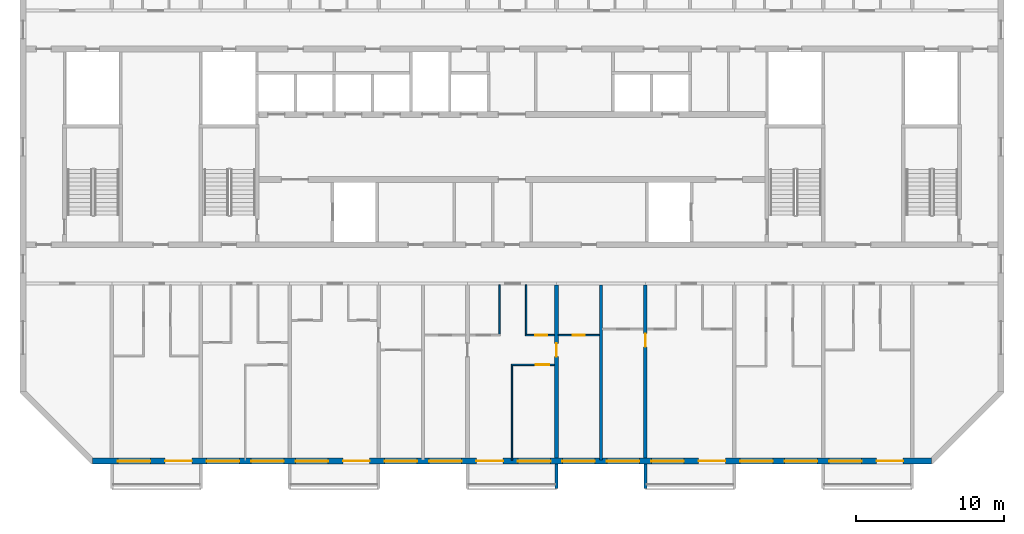
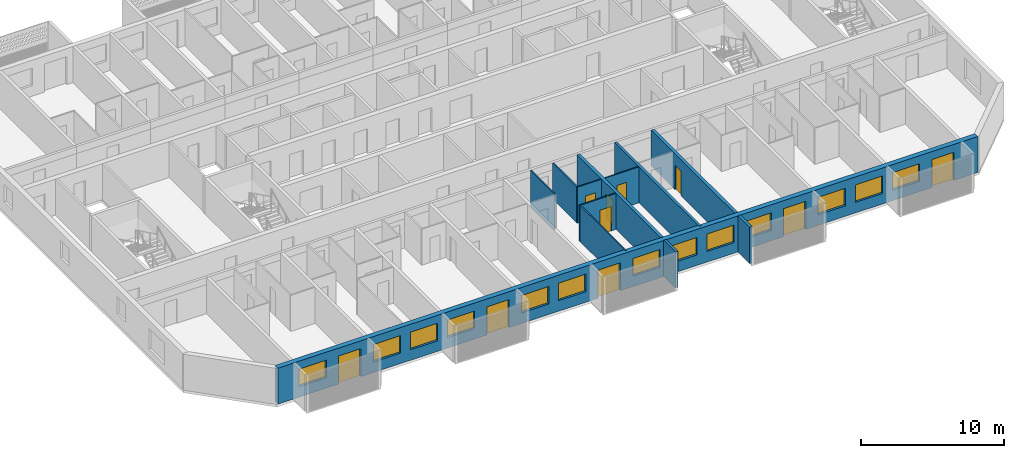
# One storey, part 4 of 26: 13 windows, 12 walls, 10 doors, 23 openings.
"""IFC4 building model written with IfcOpenShell, lengths in metres."""

from ifc_helpers import new_model, si_unit, direction, frame, frame_2d, origin, place, context, subcontext, project, spatial, polyline, rectangle, outline, extrude, source, transform, mapped, material, layer, layer_set, type_object, element, fill, save


model = new_model("IFC4")

# Units and contexts
model_context = context("Model", 3, precision=1e-05, world=origin(), true_north=direction((0.0, 1.0)))
body_context = subcontext(model_context, "Body", "Model", "MODEL_VIEW")
ifc_project = project(units=[si_unit("LENGTHUNIT", "METRE"), si_unit("AREAUNIT", "SQUARE_METRE"), si_unit("VOLUMEUNIT", "CUBIC_METRE"), si_unit("PLANEANGLEUNIT", "RADIAN"), si_unit("MASSUNIT", "GRAM", prefix="KILO")], contexts=[model_context])

# Site, building, storey
site_placement = place(None, origin())
site = spatial("IfcSite", under=ifc_project, at=site_placement, CompositionType="ELEMENT")
building_placement = place(site_placement, origin())
building = spatial("IfcBuilding", under=site, at=building_placement, Name="Poui Terraces", CompositionType="ELEMENT")
storey_placement = place(building_placement, frame((0.0, 0.0, 175.199951171875)))
storey = spatial("IfcBuildingStorey", under=building, at=storey_placement, Name="L48", CompositionType="ELEMENT", Elevation=175.199951171875)

# Wall, opening, door
ifc_material_1 = material(Name="Concrete 50 MPa", Category="concrete")
ifc_layer_1 = layer(ifc_material_1, 0.25)
ifc_layer_set_1 = layer_set([ifc_layer_1], Name="Concrete 50 MPa")
wall_type_1 = type_object("IfcWallType", Name="CROSS WALL 250 50MPa", PredefinedType="SHEAR", material=ifc_layer_set_1)
wall_1_placement = place(storey_placement, frame((54.0, 0.199951171875, 0.0), z_axis=(0.0, 0.0, 1.0), x_axis=(0.0, 1.0, 0.0)))
wall_1 = element("IfcWall", 1, at=wall_1_placement, inside=storey, type_object=wall_type_1, Name="CROSS WALL LINE 10 SOUTH", PredefinedType="SHEAR", context=body_context, shape_type="SweptSolid", body=[
    extrude(rectangle(XDim=11.699951171875, YDim=0.25, at=frame_2d((5.85009765625, 0.0))), origin(), (0.0, 0.0, 1.0), 3.080078125),
])
opening_1_placement = place(wall_1_placement, frame((6.85009765625, 0.0, 0.0)))
opening_1 = element("IfcOpeningElement", 2, at=opening_1_placement, cuts=wall_1, Name="Opening D90", PredefinedType="OPENING", context=body_context, shape_type="SweptSolid", body=[
    extrude(rectangle(XDim=0.89990234375, YDim=2.10009765625, at=frame_2d((0.449951171875, 1.050048828125))), frame((0.0, 0.135009765625, 0.0), z_axis=(0.0, -1.0, 0.0), x_axis=(1.0, 0.0, 0.0)), (0.0, 0.0, 1.0), 0.27001953125),
])
ifc_material_2 = material(Name="Solid core timber door", Category="wood")
door_type_1 = type_object("IfcDoorType", Name="INTERNAL DOOR 900 X 2100", OperationType="NOTDEFINED", PredefinedType="DOOR", material=ifc_material_2)
door_1_placement = place(opening_1_placement, frame((0.89990234375, 0.0, 0.0), z_axis=(0.0, 0.0, 1.0), x_axis=(-1.0, 0.0, 0.0)))
door_1 = element("IfcDoor", 3, at=door_1_placement, inside=storey, type_object=door_type_1, Name="INTERNAL DOOR 082", OperationType="SINGLE_SWING_LEFT", OverallHeight=2.10009765625, OverallWidth=0.89990234375, PredefinedType="DOOR", context=body_context, shape_type="SweptSolid", body=[
    extrude(rectangle(XDim=0.89990234375, YDim=2.10009765625, at=frame_2d((0.449951171875, 1.050048828125))), frame((0.0, 0.02490234375, 0.0), z_axis=(0.0, -1.0, 0.0), x_axis=(1.0, 0.0, 0.0)), (0.0, 0.0, 1.0), 0.050048828125),
])
fill(opening_1, door_1)

wall_2_placement = place(storey_placement, frame((60.0, 0.199951171875, 0.0), z_axis=(0.0, 0.0, 1.0), x_axis=(0.0, 1.0, 0.0)))
wall_2 = element("IfcWall", 4, at=wall_2_placement, inside=storey, type_object=wall_type_1, Name="CROSS WALL LINE 11 SOUTH", PredefinedType="SHEAR", context=body_context, shape_type="SweptSolid", body=[
    extrude(rectangle(XDim=11.699951171875, YDim=0.25, at=frame_2d((5.85009765625, 0.0))), origin(), (0.0, 0.0, 1.0), 3.080078125),
])
opening_2_placement = place(wall_2_placement, frame((7.5, 0.0, 0.0)))
opening_2 = element("IfcOpeningElement", 5, at=opening_2_placement, cuts=wall_2, Name="Opening D90", PredefinedType="OPENING", context=body_context, shape_type="SweptSolid", body=[
    extrude(rectangle(XDim=0.89990234375, YDim=2.10009765625, at=frame_2d((0.449951171875, 1.050048828125))), frame((0.0, 0.135009765625, 0.0), z_axis=(0.0, -1.0, 0.0), x_axis=(1.0, 0.0, 0.0)), (0.0, 0.0, 1.0), 0.27001953125),
])
door_2_placement = place(opening_2_placement, origin())
door_2 = element("IfcDoor", 6, at=door_2_placement, inside=storey, type_object=door_type_1, Name="INTERNAL DOOR 084", OperationType="SINGLE_SWING_RIGHT", OverallHeight=2.10009765625, OverallWidth=0.89990234375, PredefinedType="DOOR", context=body_context, shape_type="SweptSolid", body=[
    extrude(rectangle(XDim=0.89990234375, YDim=2.10009765625, at=frame_2d((0.449951171875, 1.050048828125))), frame((0.0, 0.02490234375, 0.0), z_axis=(0.0, -1.0, 0.0), x_axis=(1.0, 0.0, 0.0)), (0.0, 0.0, 1.0), 0.050048828125),
])
fill(opening_2, door_2)

# Wall, openings, doors, windows
ifc_material_3 = material(Name="Precast concrete 40 MPa", Category="concrete")
ifc_layer_2 = layer(ifc_material_3, 0.39990234375)
ifc_layer_set_2 = layer_set([ifc_layer_2], Name="Precast concrete 40 MPa")
wall_type_2 = type_object("IfcWallType", Name="EXTERNAL WALL 400", PredefinedType="STANDARD", material=ifc_layer_set_2)
wall_3_placement = place(storey_placement, frame((22.682861328125, 0.0, 0.0), z_axis=(0.0, 0.0, 1.0), x_axis=(1.0, 0.0, 0.0)))
wall_3 = element("IfcWall", 7, at=wall_3_placement, inside=storey, type_object=wall_type_2, Name="EXTERNAL WALL S", PredefinedType="STANDARD", context=body_context, shape_type="SweptSolid", body=[
    extrude(rectangle(XDim=56.63427734375, YDim=0.39990234375, at=frame_2d((28.317138671875, 0.0))), origin(), (0.0, 0.0, 1.0), 3.080078125),
])
opening_3_placement = place(wall_3_placement, frame((1.71728515625, 0.0, 0.89990234375)))
opening_3 = element("IfcOpeningElement", 8, at=opening_3_placement, cuts=wall_3, Name="Opening W1", PredefinedType="OPENING", context=body_context, shape_type="SweptSolid", body=[
    extrude(rectangle(XDim=2.199951171875, YDim=1.5, at=frame_2d((1.10009765625, 0.75))), frame((0.0, 0.2099609375, 0.0), z_axis=(0.0, -1.0, 0.0), x_axis=(1.0, 0.0, 0.0)), (0.0, 0.0, 1.0), 0.419921875),
])
opening_4_placement = place(wall_3_placement, frame((4.917236328125, 0.0, 0.0)))
opening_4 = element("IfcOpeningElement", 9, at=opening_4_placement, cuts=wall_3, Name="Opening BD1", PredefinedType="OPENING", context=body_context, shape_type="SweptSolid", body=[
    extrude(rectangle(XDim=1.800048828125, YDim=2.39990234375, at=frame_2d((0.89990234375, 1.199951171875))), frame((0.0, 0.2099609375, 0.0), z_axis=(0.0, -1.0, 0.0), x_axis=(1.0, 0.0, 0.0)), (0.0, 0.0, 1.0), 0.419921875),
])
opening_5_placement = place(wall_3_placement, frame((7.71728515625, 0.0, 0.89990234375)))
opening_5 = element("IfcOpeningElement", 10, at=opening_5_placement, cuts=wall_3, Name="Opening W1", PredefinedType="OPENING", context=body_context, shape_type="SweptSolid", body=[
    extrude(rectangle(XDim=2.199951171875, YDim=1.5, at=frame_2d((1.10009765625, 0.75))), frame((0.0, 0.2099609375, 0.0), z_axis=(0.0, -1.0, 0.0), x_axis=(1.0, 0.0, 0.0)), (0.0, 0.0, 1.0), 0.419921875),
])
opening_6_placement = place(wall_3_placement, frame((10.71728515625, 0.0, 0.89990234375)))
opening_6 = element("IfcOpeningElement", 11, at=opening_6_placement, cuts=wall_3, Name="Opening W1", PredefinedType="OPENING", context=body_context, shape_type="SweptSolid", body=[
    extrude(rectangle(XDim=2.199951171875, YDim=1.5, at=frame_2d((1.10009765625, 0.75))), frame((0.0, 0.2099609375, 0.0), z_axis=(0.0, -1.0, 0.0), x_axis=(1.0, 0.0, 0.0)), (0.0, 0.0, 1.0), 0.419921875),
])
opening_7_placement = place(wall_3_placement, frame((13.71728515625, 0.0, 0.89990234375)))
opening_7 = element("IfcOpeningElement", 12, at=opening_7_placement, cuts=wall_3, Name="Opening W1", PredefinedType="OPENING", context=body_context, shape_type="SweptSolid", body=[
    extrude(rectangle(XDim=2.199951171875, YDim=1.5, at=frame_2d((1.10009765625, 0.75))), frame((0.0, 0.2099609375, 0.0), z_axis=(0.0, -1.0, 0.0), x_axis=(1.0, 0.0, 0.0)), (0.0, 0.0, 1.0), 0.419921875),
])
opening_8_placement = place(wall_3_placement, frame((16.917236328125, 0.0, 0.0)))
opening_8 = element("IfcOpeningElement", 13, at=opening_8_placement, cuts=wall_3, Name="Opening BD1", PredefinedType="OPENING", context=body_context, shape_type="SweptSolid", body=[
    extrude(rectangle(XDim=1.800048828125, YDim=2.39990234375, at=frame_2d((0.89990234375, 1.199951171875))), frame((0.0, 0.2099609375, 0.0), z_axis=(0.0, -1.0, 0.0), x_axis=(1.0, 0.0, 0.0)), (0.0, 0.0, 1.0), 0.419921875),
])
opening_9_placement = place(wall_3_placement, frame((19.71728515625, 0.0, 0.89990234375)))
opening_9 = element("IfcOpeningElement", 14, at=opening_9_placement, cuts=wall_3, Name="Opening W1", PredefinedType="OPENING", context=body_context, shape_type="SweptSolid", body=[
    extrude(rectangle(XDim=2.199951171875, YDim=1.5, at=frame_2d((1.10009765625, 0.75))), frame((0.0, 0.2099609375, 0.0), z_axis=(0.0, -1.0, 0.0), x_axis=(1.0, 0.0, 0.0)), (0.0, 0.0, 1.0), 0.419921875),
])
opening_10_placement = place(wall_3_placement, frame((22.71728515625, 0.0, 0.89990234375)))
opening_10 = element("IfcOpeningElement", 15, at=opening_10_placement, cuts=wall_3, Name="Opening W1", PredefinedType="OPENING", context=body_context, shape_type="SweptSolid", body=[
    extrude(rectangle(XDim=2.199951171875, YDim=1.5, at=frame_2d((1.10009765625, 0.75))), frame((0.0, 0.2099609375, 0.0), z_axis=(0.0, -1.0, 0.0), x_axis=(1.0, 0.0, 0.0)), (0.0, 0.0, 1.0), 0.419921875),
])
opening_11_placement = place(wall_3_placement, frame((25.917236328125, 0.0, 0.0)))
opening_11 = element("IfcOpeningElement", 16, at=opening_11_placement, cuts=wall_3, Name="Opening BD1", PredefinedType="OPENING", context=body_context, shape_type="SweptSolid", body=[
    extrude(rectangle(XDim=1.800048828125, YDim=2.39990234375, at=frame_2d((0.89990234375, 1.199951171875))), frame((0.0, 0.2099609375, 0.0), z_axis=(0.0, -1.0, 0.0), x_axis=(1.0, 0.0, 0.0)), (0.0, 0.0, 1.0), 0.419921875),
])
opening_12_placement = place(wall_3_placement, frame((28.71728515625, 0.0, 0.89990234375)))
opening_12 = element("IfcOpeningElement", 17, at=opening_12_placement, cuts=wall_3, Name="Opening W1", PredefinedType="OPENING", context=body_context, shape_type="SweptSolid", body=[
    extrude(rectangle(XDim=2.199951171875, YDim=1.5, at=frame_2d((1.10009765625, 0.75))), frame((0.0, 0.2099609375, 0.0), z_axis=(0.0, -1.0, 0.0), x_axis=(1.0, 0.0, 0.0)), (0.0, 0.0, 1.0), 0.419921875),
])
opening_13_placement = place(wall_3_placement, frame((31.71728515625, 0.0, 0.89990234375)))
opening_13 = element("IfcOpeningElement", 18, at=opening_13_placement, cuts=wall_3, Name="Opening W1", PredefinedType="OPENING", context=body_context, shape_type="SweptSolid", body=[
    extrude(rectangle(XDim=2.199951171875, YDim=1.5, at=frame_2d((1.10009765625, 0.75))), frame((0.0, 0.2099609375, 0.0), z_axis=(0.0, -1.0, 0.0), x_axis=(1.0, 0.0, 0.0)), (0.0, 0.0, 1.0), 0.419921875),
])
opening_14_placement = place(wall_3_placement, frame((34.71728515625, 0.0, 0.89990234375)))
opening_14 = element("IfcOpeningElement", 19, at=opening_14_placement, cuts=wall_3, Name="Opening W1", PredefinedType="OPENING", context=body_context, shape_type="SweptSolid", body=[
    extrude(rectangle(XDim=2.199951171875, YDim=1.5, at=frame_2d((1.10009765625, 0.75))), frame((0.0, 0.2099609375, 0.0), z_axis=(0.0, -1.0, 0.0), x_axis=(1.0, 0.0, 0.0)), (0.0, 0.0, 1.0), 0.419921875),
])
opening_15_placement = place(wall_3_placement, frame((37.71728515625, 0.0, 0.89990234375)))
opening_15 = element("IfcOpeningElement", 20, at=opening_15_placement, cuts=wall_3, Name="Opening W1", PredefinedType="OPENING", context=body_context, shape_type="SweptSolid", body=[
    extrude(rectangle(XDim=2.199951171875, YDim=1.5, at=frame_2d((1.10009765625, 0.75))), frame((0.0, 0.2099609375, 0.0), z_axis=(0.0, -1.0, 0.0), x_axis=(1.0, 0.0, 0.0)), (0.0, 0.0, 1.0), 0.419921875),
])
opening_16_placement = place(wall_3_placement, frame((40.917236328125, 0.0, 0.0)))
opening_16 = element("IfcOpeningElement", 21, at=opening_16_placement, cuts=wall_3, Name="Opening BD1", PredefinedType="OPENING", context=body_context, shape_type="SweptSolid", body=[
    extrude(rectangle(XDim=1.800048828125, YDim=2.39990234375, at=frame_2d((0.89990234375, 1.199951171875))), frame((0.0, 0.2099609375, 0.0), z_axis=(0.0, -1.0, 0.0), x_axis=(1.0, 0.0, 0.0)), (0.0, 0.0, 1.0), 0.419921875),
])
opening_17_placement = place(wall_3_placement, frame((43.71728515625, 0.0, 0.89990234375)))
opening_17 = element("IfcOpeningElement", 22, at=opening_17_placement, cuts=wall_3, Name="Opening W1", PredefinedType="OPENING", context=body_context, shape_type="SweptSolid", body=[
    extrude(rectangle(XDim=2.199951171875, YDim=1.5, at=frame_2d((1.10009765625, 0.75))), frame((0.0, 0.2099609375, 0.0), z_axis=(0.0, -1.0, 0.0), x_axis=(1.0, 0.0, 0.0)), (0.0, 0.0, 1.0), 0.419921875),
])
opening_18_placement = place(wall_3_placement, frame((46.71728515625, 0.0, 0.89990234375)))
opening_18 = element("IfcOpeningElement", 23, at=opening_18_placement, cuts=wall_3, Name="Opening W1", PredefinedType="OPENING", context=body_context, shape_type="SweptSolid", body=[
    extrude(rectangle(XDim=2.199951171875, YDim=1.5, at=frame_2d((1.10009765625, 0.75))), frame((0.0, 0.2099609375, 0.0), z_axis=(0.0, -1.0, 0.0), x_axis=(1.0, 0.0, 0.0)), (0.0, 0.0, 1.0), 0.419921875),
])
opening_19_placement = place(wall_3_placement, frame((49.71728515625, 0.0, 0.89990234375)))
opening_19 = element("IfcOpeningElement", 24, at=opening_19_placement, cuts=wall_3, Name="Opening W1", PredefinedType="OPENING", context=body_context, shape_type="SweptSolid", body=[
    extrude(rectangle(XDim=2.199951171875, YDim=1.5, at=frame_2d((1.10009765625, 0.75))), frame((0.0, 0.2099609375, 0.0), z_axis=(0.0, -1.0, 0.0), x_axis=(1.0, 0.0, 0.0)), (0.0, 0.0, 1.0), 0.419921875),
])
opening_20_placement = place(wall_3_placement, frame((52.917236328125, 0.0, 0.0)))
opening_20 = element("IfcOpeningElement", 25, at=opening_20_placement, cuts=wall_3, Name="Opening BD1", PredefinedType="OPENING", context=body_context, shape_type="SweptSolid", body=[
    extrude(rectangle(XDim=1.800048828125, YDim=2.39990234375, at=frame_2d((0.89990234375, 1.199951171875))), frame((0.0, 0.2099609375, 0.0), z_axis=(0.0, -1.0, 0.0), x_axis=(1.0, 0.0, 0.0)), (0.0, 0.0, 1.0), 0.419921875),
])
ifc_material_4 = material(Name="Clear glass in aluminium frame", Category="aluminium")
door_type_2 = type_object("IfcDoorType", Name="BALCONY DOOR 1800X2400", OperationType="DOUBLE_DOOR_SLIDING", PredefinedType="DOOR", material=ifc_material_4)
door_3_placement = place(opening_4_placement, origin())
door_3 = element("IfcDoor", 26, at=door_3_placement, inside=storey, type_object=door_type_2, Name="BD1 BALCONY DOOR", OperationType="DOUBLE_DOOR_SLIDING", OverallHeight=2.39990234375, OverallWidth=1.800048828125, PredefinedType="DOOR", context=body_context, shape_type="SweptSolid", body=[
    extrude(rectangle(XDim=1.800048828125, YDim=2.39990234375, at=frame_2d((0.89990234375, 1.199951171875))), frame((0.0, 0.02490234375, 0.0), z_axis=(0.0, -1.0, 0.0), x_axis=(1.0, 0.0, 0.0)), (0.0, 0.0, 1.0), 0.050048828125),
])
fill(opening_4, door_3)
door_4_placement = place(opening_8_placement, origin())
door_4 = element("IfcDoor", 27, at=door_4_placement, inside=storey, type_object=door_type_2, Name="BD1 BALCONY DOOR", OperationType="DOUBLE_DOOR_SLIDING", OverallHeight=2.39990234375, OverallWidth=1.800048828125, PredefinedType="DOOR", context=body_context, shape_type="SweptSolid", body=[
    extrude(rectangle(XDim=1.800048828125, YDim=2.39990234375, at=frame_2d((0.89990234375, 1.199951171875))), frame((0.0, 0.02490234375, 0.0), z_axis=(0.0, -1.0, 0.0), x_axis=(1.0, 0.0, 0.0)), (0.0, 0.0, 1.0), 0.050048828125),
])
fill(opening_8, door_4)
door_5_placement = place(opening_11_placement, origin())
door_5 = element("IfcDoor", 28, at=door_5_placement, inside=storey, type_object=door_type_2, Name="BD1 BALCONY DOOR", OperationType="DOUBLE_DOOR_SLIDING", OverallHeight=2.39990234375, OverallWidth=1.800048828125, PredefinedType="DOOR", context=body_context, shape_type="SweptSolid", body=[
    extrude(rectangle(XDim=1.800048828125, YDim=2.39990234375, at=frame_2d((0.89990234375, 1.199951171875))), frame((0.0, 0.02490234375, 0.0), z_axis=(0.0, -1.0, 0.0), x_axis=(1.0, 0.0, 0.0)), (0.0, 0.0, 1.0), 0.050048828125),
])
fill(opening_11, door_5)
door_6_placement = place(opening_16_placement, origin())
door_6 = element("IfcDoor", 29, at=door_6_placement, inside=storey, type_object=door_type_2, Name="BD1 BALCONY DOOR", OperationType="DOUBLE_DOOR_SLIDING", OverallHeight=2.39990234375, OverallWidth=1.800048828125, PredefinedType="DOOR", context=body_context, shape_type="SweptSolid", body=[
    extrude(rectangle(XDim=1.800048828125, YDim=2.39990234375, at=frame_2d((0.89990234375, 1.199951171875))), frame((0.0, 0.02490234375, 0.0), z_axis=(0.0, -1.0, 0.0), x_axis=(1.0, 0.0, 0.0)), (0.0, 0.0, 1.0), 0.050048828125),
])
fill(opening_16, door_6)
door_7_placement = place(opening_20_placement, origin())
door_7 = element("IfcDoor", 30, at=door_7_placement, inside=storey, type_object=door_type_2, Name="BD1 BALCONY DOOR", OperationType="DOUBLE_DOOR_SLIDING", OverallHeight=2.39990234375, OverallWidth=1.800048828125, PredefinedType="DOOR", context=body_context, shape_type="SweptSolid", body=[
    extrude(rectangle(XDim=1.800048828125, YDim=2.39990234375, at=frame_2d((0.89990234375, 1.199951171875))), frame((0.0, 0.02490234375, 0.0), z_axis=(0.0, -1.0, 0.0), x_axis=(1.0, 0.0, 0.0)), (0.0, 0.0, 1.0), 0.050048828125),
])
fill(opening_20, door_7)
window_type = type_object("IfcWindowType", Name="WINDOW 2200X1500", PartitioningType="DOUBLE_PANEL_HORIZONTAL", PredefinedType="WINDOW", material=ifc_material_4)
window_1_placement = place(opening_3_placement, origin())
window_1 = element("IfcWindow", 31, at=window_1_placement, inside=storey, type_object=window_type, Name="W1 WINDOW", OverallHeight=1.5, OverallWidth=2.199951171875, PartitioningType="DOUBLE_PANEL_HORIZONTAL", PredefinedType="WINDOW", context=body_context, shape_type="SweptSolid", body=[
    extrude(rectangle(XDim=2.199951171875, YDim=1.5, at=frame_2d((1.10009765625, 0.75))), frame((0.0, 0.030029296875, 0.0), z_axis=(0.0, -1.0, 0.0), x_axis=(1.0, 0.0, 0.0)), (0.0, 0.0, 1.0), 0.06005859375),
])
fill(opening_3, window_1)
window_2_placement = place(opening_5_placement, origin())
window_2 = element("IfcWindow", 32, at=window_2_placement, inside=storey, type_object=window_type, Name="W1 WINDOW", OverallHeight=1.5, OverallWidth=2.199951171875, PartitioningType="DOUBLE_PANEL_HORIZONTAL", PredefinedType="WINDOW", context=body_context, shape_type="SweptSolid", body=[
    extrude(rectangle(XDim=2.199951171875, YDim=1.5, at=frame_2d((1.10009765625, 0.75))), frame((0.0, 0.030029296875, 0.0), z_axis=(0.0, -1.0, 0.0), x_axis=(1.0, 0.0, 0.0)), (0.0, 0.0, 1.0), 0.06005859375),
])
fill(opening_5, window_2)
window_3_placement = place(opening_6_placement, origin())
window_3 = element("IfcWindow", 33, at=window_3_placement, inside=storey, type_object=window_type, Name="W1 WINDOW", OverallHeight=1.5, OverallWidth=2.199951171875, PartitioningType="DOUBLE_PANEL_HORIZONTAL", PredefinedType="WINDOW", context=body_context, shape_type="SweptSolid", body=[
    extrude(rectangle(XDim=2.199951171875, YDim=1.5, at=frame_2d((1.10009765625, 0.75))), frame((0.0, 0.030029296875, 0.0), z_axis=(0.0, -1.0, 0.0), x_axis=(1.0, 0.0, 0.0)), (0.0, 0.0, 1.0), 0.06005859375),
])
fill(opening_6, window_3)
window_4_placement = place(opening_7_placement, origin())
window_4 = element("IfcWindow", 34, at=window_4_placement, inside=storey, type_object=window_type, Name="W1 WINDOW", OverallHeight=1.5, OverallWidth=2.199951171875, PartitioningType="DOUBLE_PANEL_HORIZONTAL", PredefinedType="WINDOW", context=body_context, shape_type="SweptSolid", body=[
    extrude(rectangle(XDim=2.199951171875, YDim=1.5, at=frame_2d((1.10009765625, 0.75))), frame((0.0, 0.030029296875, 0.0), z_axis=(0.0, -1.0, 0.0), x_axis=(1.0, 0.0, 0.0)), (0.0, 0.0, 1.0), 0.06005859375),
])
fill(opening_7, window_4)
window_5_placement = place(opening_9_placement, origin())
window_5 = element("IfcWindow", 35, at=window_5_placement, inside=storey, type_object=window_type, Name="W1 WINDOW", OverallHeight=1.5, OverallWidth=2.199951171875, PartitioningType="DOUBLE_PANEL_HORIZONTAL", PredefinedType="WINDOW", context=body_context, shape_type="SweptSolid", body=[
    extrude(rectangle(XDim=2.199951171875, YDim=1.5, at=frame_2d((1.10009765625, 0.75))), frame((0.0, 0.030029296875, 0.0), z_axis=(0.0, -1.0, 0.0), x_axis=(1.0, 0.0, 0.0)), (0.0, 0.0, 1.0), 0.06005859375),
])
fill(opening_9, window_5)
window_6_placement = place(opening_10_placement, origin())
window_6 = element("IfcWindow", 36, at=window_6_placement, inside=storey, type_object=window_type, Name="W1 WINDOW", OverallHeight=1.5, OverallWidth=2.199951171875, PartitioningType="DOUBLE_PANEL_HORIZONTAL", PredefinedType="WINDOW", context=body_context, shape_type="SweptSolid", body=[
    extrude(rectangle(XDim=2.199951171875, YDim=1.5, at=frame_2d((1.10009765625, 0.75))), frame((0.0, 0.030029296875, 0.0), z_axis=(0.0, -1.0, 0.0), x_axis=(1.0, 0.0, 0.0)), (0.0, 0.0, 1.0), 0.06005859375),
])
fill(opening_10, window_6)
window_7_placement = place(opening_12_placement, origin())
window_7 = element("IfcWindow", 37, at=window_7_placement, inside=storey, type_object=window_type, Name="W1 WINDOW", OverallHeight=1.5, OverallWidth=2.199951171875, PartitioningType="DOUBLE_PANEL_HORIZONTAL", PredefinedType="WINDOW", context=body_context, shape_type="SweptSolid", body=[
    extrude(rectangle(XDim=2.199951171875, YDim=1.5, at=frame_2d((1.10009765625, 0.75))), frame((0.0, 0.030029296875, 0.0), z_axis=(0.0, -1.0, 0.0), x_axis=(1.0, 0.0, 0.0)), (0.0, 0.0, 1.0), 0.06005859375),
])
fill(opening_12, window_7)
window_8_placement = place(opening_13_placement, origin())
window_8 = element("IfcWindow", 38, at=window_8_placement, inside=storey, type_object=window_type, Name="W1 WINDOW", OverallHeight=1.5, OverallWidth=2.199951171875, PartitioningType="DOUBLE_PANEL_HORIZONTAL", PredefinedType="WINDOW", context=body_context, shape_type="SweptSolid", body=[
    extrude(rectangle(XDim=2.199951171875, YDim=1.5, at=frame_2d((1.10009765625, 0.75))), frame((0.0, 0.030029296875, 0.0), z_axis=(0.0, -1.0, 0.0), x_axis=(1.0, 0.0, 0.0)), (0.0, 0.0, 1.0), 0.06005859375),
])
fill(opening_13, window_8)
window_9_placement = place(opening_14_placement, origin())
window_9 = element("IfcWindow", 39, at=window_9_placement, inside=storey, type_object=window_type, Name="W1 WINDOW", OverallHeight=1.5, OverallWidth=2.199951171875, PartitioningType="DOUBLE_PANEL_HORIZONTAL", PredefinedType="WINDOW", context=body_context, shape_type="SweptSolid", body=[
    extrude(rectangle(XDim=2.199951171875, YDim=1.5, at=frame_2d((1.10009765625, 0.75))), frame((0.0, 0.030029296875, 0.0), z_axis=(0.0, -1.0, 0.0), x_axis=(1.0, 0.0, 0.0)), (0.0, 0.0, 1.0), 0.06005859375),
])
fill(opening_14, window_9)
window_10_placement = place(opening_15_placement, origin())
window_10 = element("IfcWindow", 40, at=window_10_placement, inside=storey, type_object=window_type, Name="W1 WINDOW", OverallHeight=1.5, OverallWidth=2.199951171875, PartitioningType="DOUBLE_PANEL_HORIZONTAL", PredefinedType="WINDOW", context=body_context, shape_type="SweptSolid", body=[
    extrude(rectangle(XDim=2.199951171875, YDim=1.5, at=frame_2d((1.10009765625, 0.75))), frame((0.0, 0.030029296875, 0.0), z_axis=(0.0, -1.0, 0.0), x_axis=(1.0, 0.0, 0.0)), (0.0, 0.0, 1.0), 0.06005859375),
])
fill(opening_15, window_10)
window_11_placement = place(opening_17_placement, origin())
window_11 = element("IfcWindow", 41, at=window_11_placement, inside=storey, type_object=window_type, Name="W1 WINDOW", OverallHeight=1.5, OverallWidth=2.199951171875, PartitioningType="DOUBLE_PANEL_HORIZONTAL", PredefinedType="WINDOW", context=body_context, shape_type="SweptSolid", body=[
    extrude(rectangle(XDim=2.199951171875, YDim=1.5, at=frame_2d((1.10009765625, 0.75))), frame((0.0, 0.030029296875, 0.0), z_axis=(0.0, -1.0, 0.0), x_axis=(1.0, 0.0, 0.0)), (0.0, 0.0, 1.0), 0.06005859375),
])
fill(opening_17, window_11)
window_12_placement = place(opening_18_placement, origin())
window_12 = element("IfcWindow", 42, at=window_12_placement, inside=storey, type_object=window_type, Name="W1 WINDOW", OverallHeight=1.5, OverallWidth=2.199951171875, PartitioningType="DOUBLE_PANEL_HORIZONTAL", PredefinedType="WINDOW", context=body_context, shape_type="SweptSolid", body=[
    extrude(rectangle(XDim=2.199951171875, YDim=1.5, at=frame_2d((1.10009765625, 0.75))), frame((0.0, 0.030029296875, 0.0), z_axis=(0.0, -1.0, 0.0), x_axis=(1.0, 0.0, 0.0)), (0.0, 0.0, 1.0), 0.06005859375),
])
fill(opening_18, window_12)
window_13_placement = place(opening_19_placement, origin())
window_13 = element("IfcWindow", 43, at=window_13_placement, inside=storey, type_object=window_type, Name="W1 WINDOW", OverallHeight=1.5, OverallWidth=2.199951171875, PartitioningType="DOUBLE_PANEL_HORIZONTAL", PredefinedType="WINDOW", context=body_context, shape_type="SweptSolid", body=[
    extrude(rectangle(XDim=2.199951171875, YDim=1.5, at=frame_2d((1.10009765625, 0.75))), frame((0.0, 0.030029296875, 0.0), z_axis=(0.0, -1.0, 0.0), x_axis=(1.0, 0.0, 0.0)), (0.0, 0.0, 1.0), 0.06005859375),
])
fill(opening_19, window_13)

# Wall, opening, door
ifc_material_5 = material(Name="Plasterboard partition")
ifc_layer_3 = layer(ifc_material_5, 0.10009765625)
ifc_layer_set_3 = layer_set([ifc_layer_3], Name="Plasterboard partition")
wall_type_3 = type_object("IfcWallType", Name="FLAT PARTITION 100", PredefinedType="PARTITIONING", material=ifc_layer_set_3)
wall_4_placement = place(storey_placement, frame((50.949951171875, 6.5, 0.0), z_axis=(0.0, 0.0, 1.0), x_axis=(1.0, 0.0, 0.0)))
wall_4 = element("IfcWall", 44, at=wall_4_placement, inside=storey, type_object=wall_type_3, Name="FLAT PARTITION 100", PredefinedType="PARTITIONING", context=body_context, shape_type="SweptSolid", body=[
    extrude(rectangle(XDim=2.9150390625, YDim=0.10009765625, at=frame_2d((1.45751953125, 0.0))), origin(), (0.0, 0.0, 1.0), 3.080078125),
])
opening_21_placement = place(wall_4_placement, frame((1.64990234375, 0.0, 0.0)))
opening_21 = element("IfcOpeningElement", 45, at=opening_21_placement, cuts=wall_4, Name="Opening D90", PredefinedType="OPENING", context=body_context, shape_type="SweptSolid", body=[
    extrude(rectangle(XDim=0.89990234375, YDim=2.10009765625, at=frame_2d((0.449951171875, 1.050048828125))), frame((0.0, 0.06005859375, 0.0), z_axis=(0.0, -1.0, 0.0), x_axis=(1.0, 0.0, 0.0)), (0.0, 0.0, 1.0), 0.1201171875),
])
door_8_placement = place(opening_21_placement, origin())
door_8 = element("IfcDoor", 46, at=door_8_placement, inside=storey, type_object=door_type_1, Name="INTERNAL DOOR 081", OperationType="SINGLE_SWING_LEFT", OverallHeight=2.10009765625, OverallWidth=0.89990234375, PredefinedType="DOOR", context=body_context, shape_type="SweptSolid", body=[
    extrude(rectangle(XDim=0.89990234375, YDim=2.10009765625, at=frame_2d((0.449951171875, 1.050048828125))), frame((0.0, 0.02490234375, 0.0), z_axis=(0.0, -1.0, 0.0), x_axis=(1.0, 0.0, 0.0)), (0.0, 0.0, 1.0), 0.050048828125),
])
fill(opening_21, door_8)

wall_5_placement = place(storey_placement, frame((51.89990234375, 8.5, 0.0), z_axis=(0.0, 0.0, 1.0), x_axis=(1.0, 0.0, 0.0)))
wall_5 = element("IfcWall", 47, at=wall_5_placement, inside=storey, type_object=wall_type_3, Name="FLAT PARTITION 100", PredefinedType="PARTITIONING", context=body_context, shape_type="SweptSolid", body=[
    extrude(rectangle(XDim=1.965087890625, YDim=0.10009765625, at=frame_2d((0.982421875, 0.0))), origin(), (0.0, 0.0, 1.0), 3.080078125),
])
opening_22_placement = place(wall_5_placement, frame((0.675048828125, 0.0, 0.0)))
opening_22 = element("IfcOpeningElement", 48, at=opening_22_placement, cuts=wall_5, Name="Opening D80", PredefinedType="OPENING", context=body_context, shape_type="SweptSolid", body=[
    extrude(rectangle(XDim=0.800048828125, YDim=2.10009765625, at=frame_2d((0.39990234375, 1.050048828125))), frame((0.0, 0.06005859375, 0.0), z_axis=(0.0, -1.0, 0.0), x_axis=(1.0, 0.0, 0.0)), (0.0, 0.0, 1.0), 0.1201171875),
])
door_type_3 = type_object("IfcDoorType", Name="BATHROOM, LAUNDRY AND STORE DOOR 800 X 2100", OperationType="NOTDEFINED", PredefinedType="DOOR", material=ifc_material_2)
door_9_placement = place(opening_22_placement, origin())
door_9 = element("IfcDoor", 49, at=door_9_placement, inside=storey, type_object=door_type_3, Name="BATHROOM, LAUNDRY AND STORE DOOR 080", OperationType="SINGLE_SWING_RIGHT", OverallHeight=2.10009765625, OverallWidth=0.800048828125, PredefinedType="DOOR", context=body_context, shape_type="SweptSolid", body=[
    extrude(rectangle(XDim=0.800048828125, YDim=2.10009765625, at=frame_2d((0.39990234375, 1.050048828125))), frame((0.0, 0.02490234375, 0.0), z_axis=(0.0, -1.0, 0.0), x_axis=(1.0, 0.0, 0.0)), (0.0, 0.0, 1.0), 0.050048828125),
])
fill(opening_22, door_9)

wall_6_placement = place(storey_placement, frame((54.135009765625, 8.5, 0.0), z_axis=(0.0, 0.0, 1.0), x_axis=(1.0, 0.0, 0.0)))
wall_6 = element("IfcWall", 50, at=wall_6_placement, inside=storey, type_object=wall_type_3, Name="FLAT PARTITION 100", PredefinedType="PARTITIONING", context=body_context, shape_type="SweptSolid", body=[
    extrude(rectangle(XDim=2.764892578125, YDim=0.10009765625, at=frame_2d((1.38232421875, 0.0))), origin(), (0.0, 0.0, 1.0), 3.080078125),
])
opening_23_placement = place(wall_6_placement, frame((0.965087890625, 0.0, 0.0)))
opening_23 = element("IfcOpeningElement", 51, at=opening_23_placement, cuts=wall_6, Name="Opening D80", PredefinedType="OPENING", context=body_context, shape_type="SweptSolid", body=[
    extrude(rectangle(XDim=0.800048828125, YDim=2.10009765625, at=frame_2d((0.39990234375, 1.050048828125))), frame((0.0, 0.06005859375, 0.0), z_axis=(0.0, -1.0, 0.0), x_axis=(1.0, 0.0, 0.0)), (0.0, 0.0, 1.0), 0.1201171875),
])
door_10_placement = place(opening_23_placement, origin())
door_10 = element("IfcDoor", 52, at=door_10_placement, inside=storey, type_object=door_type_3, Name="BATHROOM, LAUNDRY AND STORE DOOR 076", OperationType="SINGLE_SWING_LEFT", OverallHeight=2.10009765625, OverallWidth=0.800048828125, PredefinedType="DOOR", context=body_context, shape_type="SweptSolid", body=[
    extrude(rectangle(XDim=0.800048828125, YDim=2.10009765625, at=frame_2d((0.39990234375, 1.050048828125))), frame((0.0, 0.02490234375, 0.0), z_axis=(0.0, -1.0, 0.0), x_axis=(1.0, 0.0, 0.0)), (0.0, 0.0, 1.0), 0.050048828125),
])
fill(opening_23, door_10)

# Walls
wall_7_placement = place(storey_placement, frame((50.14990234375, 8.550048828125, 0.0), z_axis=(0.0, 0.0, 1.0), x_axis=(0.0, 1.0, 0.0)))
element("IfcWall", 53, at=wall_7_placement, inside=storey, type_object=wall_type_3, Name="FLAT PARTITION 100", PredefinedType="PARTITIONING", context=body_context, shape_type="SweptSolid", body=[
    extrude(rectangle(XDim=3.33984375, YDim=0.10009765625, at=frame_2d((1.669921875, 0.0))), origin(), (0.0, 0.0, 1.0), 3.080078125),
])
wall_8_placement = place(storey_placement, frame((51.0, 0.06005859375, 0.0), z_axis=(0.0, 0.0, 1.0), x_axis=(0.0, 1.0, 0.0)))
element("IfcWall", 54, at=wall_8_placement, inside=storey, type_object=wall_type_3, Name="FLAT PARTITION 100", PredefinedType="PARTITIONING", context=body_context, shape_type="SweptSolid", body=[
    extrude(rectangle(XDim=6.389892578125, YDim=0.10009765625, at=frame_2d((3.19482421875, 0.0))), origin(), (0.0, 0.0, 1.0), 3.080078125),
])
wall_9_placement = place(storey_placement, frame((51.949951171875, 8.550048828125, 0.0), z_axis=(0.0, 0.0, 1.0), x_axis=(0.0, 1.0, 0.0)))
element("IfcWall", 55, at=wall_9_placement, inside=storey, type_object=wall_type_3, Name="FLAT PARTITION 100", PredefinedType="PARTITIONING", context=body_context, shape_type="SweptSolid", body=[
    extrude(rectangle(XDim=3.33984375, YDim=0.10009765625, at=frame_2d((1.669921875, 0.0))), origin(), (0.0, 0.0, 1.0), 3.080078125),
])
ifc_material_6 = material(Name="Fire-rated masonry wall", Category="masonry")
ifc_layer_4 = layer(ifc_material_6, 0.199951171875)
ifc_layer_set_4 = layer_set([ifc_layer_4], Name="Fire-rated masonry wall")
wall_type_4 = type_object("IfcWallType", Name="FLAT PARTY WALL 200", PredefinedType="PARTITIONING", material=ifc_layer_set_4)
wall_10_placement = place(storey_placement, frame((57.0, 0.06005859375, 0.0), z_axis=(0.0, 0.0, 1.0), x_axis=(0.0, 1.0, 0.0)))
element("IfcWall", 56, at=wall_10_placement, inside=storey, type_object=wall_type_4, Name="FLAT PARTY WALL 200", PredefinedType="PARTITIONING", context=body_context, shape_type="SweptSolid", body=[
    extrude(rectangle(XDim=11.829833984375, YDim=0.199951171875, at=frame_2d((5.9150390625, 0.0))), origin(), (0.0, 0.0, 1.0), 3.080078125),
])
ifc_layer_5 = layer(ifc_material_3, 0.199951171875)
ifc_layer_set_5 = layer_set([ifc_layer_5], Name="Precast concrete 40 MPa")
wall_type_5 = type_object("IfcWallType", Name="REAR FIN 200", PredefinedType="STANDARD", material=ifc_layer_set_5)
shared_shape = source(origin(), body_context, "Body", "SweptSolid", [
    extrude(outline(polyline([(0.0, 0.0), (0.2001953125, 0.0), (0.2001953125, 1.650146484375), (0.0, 1.650146484375), (0.0, 0.0)])), origin(), (0.0, 0.0, 1.0), 3.10009765625),
])
for number, where, name in (
    (57, (53.89990234375, -1.85009765625, 0.0), "REAR FIN"),
    (58, (59.89990234375, -1.85009765625, 0.0), "REAR FIN"),
):
    element("IfcWall", number, at=place(storey_placement, frame(where)), inside=storey, type_object=wall_type_5, Name=name, PredefinedType="STANDARD", context=body_context, shape_type="MappedRepresentation", body=[
        mapped(shared_shape, transform((0.0, 0.0, 0.0))),
    ])

save(model, "model.ifc")
